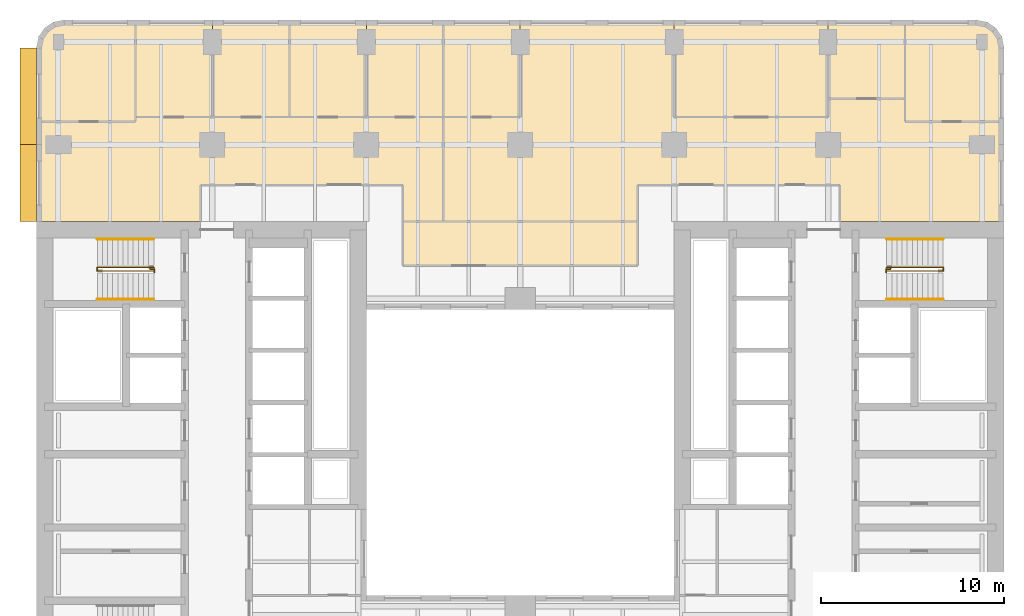
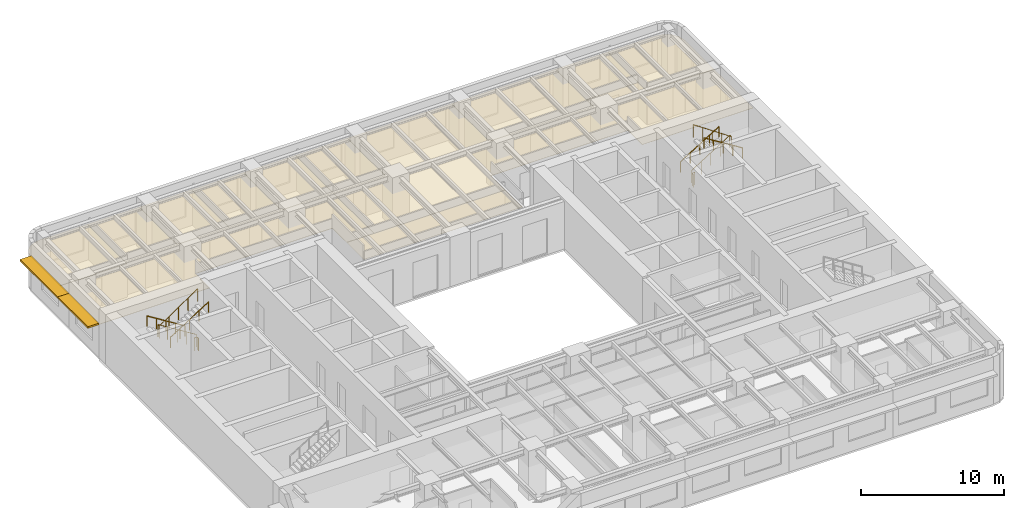
# One storey, part 11 of 11: 12 coverings, 8 railings, 2 shading devices.
"""IFC4 building model written with IfcOpenShell, lengths in metres."""

from ifc_helpers import new_model, si_unit, direction, frame, origin, origin_2d, place, context, subcontext, project, spatial, polyline, rectangle, circle, outline, extrude, material, layer, layer_set, type_object, element, save


model = new_model("IFC4")

# Units and contexts
model_context = context("Model", 3, precision=1e-05, world=origin(), true_north=direction((0.0, 1.0)))
body_context = subcontext(model_context, "Body", "Model", "MODEL_VIEW")
ifc_project = project(units=[si_unit("LENGTHUNIT", "METRE"), si_unit("AREAUNIT", "SQUARE_METRE"), si_unit("VOLUMEUNIT", "CUBIC_METRE"), si_unit("PLANEANGLEUNIT", "RADIAN"), si_unit("MASSUNIT", "GRAM", prefix="KILO")], contexts=[model_context])

# Site, building, storey
site_placement = place(None, origin())
site = spatial("IfcSite", under=ifc_project, at=site_placement, CompositionType="ELEMENT")
building_placement = place(site_placement, origin())
building = spatial("IfcBuilding", under=site, at=building_placement, Name="Claustro Exchange Tower", CompositionType="ELEMENT")
storey_placement = place(building_placement, frame((0.0, 0.0, 142.800048828125)))
storey = spatial("IfcBuildingStorey", under=building, at=storey_placement, Name="L32", CompositionType="ELEMENT", Elevation=142.800048828125)

# Coverings
ifc_material_1 = material(Name="Perforated metal ceiling tiles", Category="steel")
ifc_layer_1 = layer(ifc_material_1, 0.030029296875)
ifc_layer_set_1 = layer_set([ifc_layer_1], Name="Perforated metal ceiling tiles")
covering_type_1 = type_object("IfcCoveringType", Name="CL1 suspended metal ceiling", PredefinedType="CEILING", material=ifc_layer_set_1)
covering_1_placement = place(storey_placement, frame((0.0, 0.0, 2.800048828125)))
element("IfcCovering", 1, at=covering_1_placement, inside=storey, type_object=covering_type_1, Name="Ceiling CL1 L32-17", PredefinedType="CEILING", context=body_context, shape_type="SweptSolid", body=[
    extrude(outline(polyline([(-1.199951171875, 43.25), (-1.199951171875, 37.800048828125), (7.75, 37.800048828125), (7.75, 39.800048828125), (16.800048828125, 39.800048828125), (18.800048828125, 39.800048828125), (18.800048828125, 37.800048828125), (21.0, 37.800048828125), (21.0, 43.5), (16.800048828125, 43.5), (12.60009765625, 43.5), (8.39990234375, 43.5), (4.199951171875, 43.5), (4.199951171875, 43.25), (-1.199951171875, 43.25)])), origin(), (0.0, 0.0, 1.0), 0.02978515625),
])
ifc_material_2 = material(Name="Gypsum board ceiling", Category="gypsum board")
ifc_layer_2 = layer(ifc_material_2, 0.02490234375)
ifc_layer_set_2 = layer_set([ifc_layer_2], Name="Gypsum board ceiling")
covering_type_2 = type_object("IfcCoveringType", Name="CL2 plasterboard ceiling", PredefinedType="CEILING", material=ifc_layer_set_2)
covering_2_placement = place(storey_placement, frame((0.0, 0.0, 2.800048828125)))
element("IfcCovering", 2, at=covering_2_placement, inside=storey, type_object=covering_type_2, Name="Ceiling CL2 L32-16", PredefinedType="CEILING", context=body_context, shape_type="SweptSolid", body=[
    extrude(outline(polyline([(18.800048828125, 35.39990234375), (31.60009765625, 35.39990234375), (31.60009765625, 37.800048828125), (18.800048828125, 37.800048828125), (18.800048828125, 35.39990234375)])), origin(), (0.0, 0.0, 1.0), 0.02490234375),
])
covering_3_placement = place(storey_placement, frame((0.0, 0.0, 2.800048828125)))
element("IfcCovering", 3, at=covering_3_placement, inside=storey, type_object=covering_type_2, Name="Ceiling CL2 L32-18", PredefinedType="CEILING", context=body_context, shape_type="SweptSolid", body=[
    extrude(outline(polyline([(33.60009765625, 48.800048828125), (25.199951171875, 48.800048828125), (25.199951171875, 43.5), (21.0, 43.5), (21.0, 37.800048828125), (31.60009765625, 37.800048828125), (31.60009765625, 39.800048828125), (42.64990234375, 39.800048828125), (42.64990234375, 37.800048828125), (51.60009765625, 37.800048828125), (51.60009765625, 43.25), (46.199951171875, 43.25), (46.199951171875, 44.5), (42.0, 44.5), (42.0, 43.5), (33.60009765625, 43.5), (33.60009765625, 48.800048828125)])), origin(), (0.0, 0.0, 1.0), 0.02490234375),
])
covering_4_placement = place(storey_placement, frame((0.0, 0.0, 2.800048828125)))
element("IfcCovering", 4, at=covering_4_placement, inside=storey, type_object=covering_type_2, Name="Ceiling CL2 L32-19", PredefinedType="CEILING", context=body_context, shape_type="SweptSolid", body=[
    extrude(outline(polyline([(-1.199951171875, 47.300048828125), (-1.199951171875, 43.25), (4.199951171875, 43.25), (4.199951171875, 48.800048828125), (0.300048828125, 48.800048828125), (-0.27392578125, 48.685791015625), (-0.7607421875, 48.360595703125), (-1.085693359375, 47.8740234375), (-1.199951171875, 47.300048828125)])), origin(), (0.0, 0.0, 1.0), 0.02490234375),
])
covering_5_placement = place(storey_placement, frame((0.0, 0.0, 2.800048828125)))
element("IfcCovering", 5, at=covering_5_placement, inside=storey, type_object=covering_type_2, Name="Ceiling CL2 L32-20", PredefinedType="CEILING", context=body_context, shape_type="SweptSolid", body=[
    extrude(outline(polyline([(50.10009765625, 48.800048828125), (46.199951171875, 48.800048828125), (46.199951171875, 43.25), (51.60009765625, 43.25), (51.60009765625, 47.300048828125), (51.48583984375, 47.8740234375), (51.16064453125, 48.360595703125), (50.674072265625, 48.685791015625), (50.10009765625, 48.800048828125)])), origin(), (0.0, 0.0, 1.0), 0.02490234375),
])
covering_6_placement = place(storey_placement, frame((0.0, 0.0, 2.800048828125)))
element("IfcCovering", 6, at=covering_6_placement, inside=storey, type_object=covering_type_2, Name="Ceiling CL2 L32-21", PredefinedType="CEILING", context=body_context, shape_type="SweptSolid", body=[
    extrude(outline(polyline([(8.39990234375, 48.800048828125), (4.199951171875, 48.800048828125), (4.199951171875, 43.5), (8.39990234375, 43.5), (8.39990234375, 48.800048828125)])), origin(), (0.0, 0.0, 1.0), 0.02490234375),
])
covering_7_placement = place(storey_placement, frame((0.0, 0.0, 2.800048828125)))
element("IfcCovering", 7, at=covering_7_placement, inside=storey, type_object=covering_type_2, Name="Ceiling CL2 L32-22", PredefinedType="CEILING", context=body_context, shape_type="SweptSolid", body=[
    extrude(outline(polyline([(12.60009765625, 48.800048828125), (8.39990234375, 48.800048828125), (8.39990234375, 43.5), (12.60009765625, 43.5), (12.60009765625, 48.800048828125)])), origin(), (0.0, 0.0, 1.0), 0.02490234375),
])
covering_8_placement = place(storey_placement, frame((0.0, 0.0, 2.800048828125)))
element("IfcCovering", 8, at=covering_8_placement, inside=storey, type_object=covering_type_2, Name="Ceiling CL2 L32-23", PredefinedType="CEILING", context=body_context, shape_type="SweptSolid", body=[
    extrude(outline(polyline([(16.800048828125, 48.800048828125), (12.60009765625, 48.800048828125), (12.60009765625, 43.5), (16.800048828125, 43.5), (16.800048828125, 48.800048828125)])), origin(), (0.0, 0.0, 1.0), 0.02490234375),
])
covering_9_placement = place(storey_placement, frame((0.0, 0.0, 2.800048828125)))
element("IfcCovering", 9, at=covering_9_placement, inside=storey, type_object=covering_type_2, Name="Ceiling CL2 L32-24", PredefinedType="CEILING", context=body_context, shape_type="SweptSolid", body=[
    extrude(outline(polyline([(21.0, 48.800048828125), (16.800048828125, 48.800048828125), (16.800048828125, 43.5), (21.0, 43.5), (21.0, 48.800048828125)])), origin(), (0.0, 0.0, 1.0), 0.02490234375),
])
covering_10_placement = place(storey_placement, frame((0.0, 0.0, 2.800048828125)))
element("IfcCovering", 10, at=covering_10_placement, inside=storey, type_object=covering_type_2, Name="Ceiling CL2 L32-25", PredefinedType="CEILING", context=body_context, shape_type="SweptSolid", body=[
    extrude(outline(polyline([(25.199951171875, 48.800048828125), (21.0, 48.800048828125), (21.0, 43.5), (25.199951171875, 43.5), (25.199951171875, 48.800048828125)])), origin(), (0.0, 0.0, 1.0), 0.02490234375),
])
covering_11_placement = place(storey_placement, frame((0.0, 0.0, 2.800048828125)))
element("IfcCovering", 11, at=covering_11_placement, inside=storey, type_object=covering_type_2, Name="Ceiling CL2 L32-26", PredefinedType="CEILING", context=body_context, shape_type="SweptSolid", body=[
    extrude(outline(polyline([(42.0, 48.800048828125), (33.60009765625, 48.800048828125), (33.60009765625, 43.5), (42.0, 43.5), (42.0, 48.800048828125)])), origin(), (0.0, 0.0, 1.0), 0.02490234375),
])
covering_12_placement = place(storey_placement, frame((0.0, 0.0, 2.800048828125)))
element("IfcCovering", 12, at=covering_12_placement, inside=storey, type_object=covering_type_2, Name="Ceiling CL2 L32-27", PredefinedType="CEILING", context=body_context, shape_type="SweptSolid", body=[
    extrude(outline(polyline([(46.199951171875, 48.800048828125), (42.0, 48.800048828125), (42.0, 44.5), (46.199951171875, 44.5), (46.199951171875, 48.800048828125)])), origin(), (0.0, 0.0, 1.0), 0.02490234375),
])

# Railings
ifc_material_3 = material(Name="Steel balustrade, painted", Category="steel")
railing_type_1 = type_object("IfcRailingType", Name="GR2 1100 steel stair guard", PredefinedType="GUARDRAIL", material=ifc_material_3)
railing_1_placement = place(storey_placement, frame((5.199951171875, 35.300048828125, 0.175048828125)))
element("IfcRailing", 13, at=railing_1_placement, inside=storey, type_object=railing_type_1, Name="Stair well guard GR2 stair STWB L32", PredefinedType="GUARDRAIL", context=body_context, shape_type="SweptSolid", body=[
    extrude(circle(Radius=0.02392578125, at=origin_2d()), frame((0.0, 0.0, 1.076171875), z_axis=(-0.848009633417, 0.0, 0.529980812513), x_axis=(0.0, -1.0, 0.0)), (0.0, 0.0, 1.0), 3.6318359375),
    extrude(circle(Radius=0.02392578125, at=origin_2d()), frame((-3.079833984375, 0.0, 3.0009765625), z_axis=(0.0, -1.0, 0.0), x_axis=(1.0, 0.0, 0.0)), (0.0, 0.0, 1.0), 0.199951171875),
    extrude(circle(Radius=0.02392578125, at=origin_2d()), frame((-3.079833984375, -0.199951171875, 3.0009765625), z_axis=(0.826201015165, 0.0, 0.563375436579), x_axis=(0.0, 1.0, 0.0)), (0.0, 0.0, 1.0), 3.727783203125),
    extrude(circle(Radius=0.02099609375, at=origin_2d()), origin(), (0.0, 0.0, 1.0), 1.052001953125),
    extrude(circle(Radius=0.02099609375, at=origin_2d()), frame((-0.77001953125, 0.0, 0.481201171875)), (0.0, 0.0, 1.0), 1.052001953125),
    extrude(circle(Radius=0.02099609375, at=origin_2d()), frame((-1.5400390625, 0.0, 0.96240234375)), (0.0, 0.0, 1.0), 1.052001953125),
    extrude(circle(Radius=0.02099609375, at=origin_2d()), frame((-2.309814453125, 0.0, 1.443603515625)), (0.0, 0.0, 1.0), 1.052001953125),
    extrude(circle(Radius=0.02099609375, at=origin_2d()), frame((-3.079833984375, 0.0, 1.9248046875)), (0.0, 0.0, 1.0), 1.052001953125),
    extrude(circle(Radius=0.02099609375, at=origin_2d()), frame((-3.079833984375, -0.199951171875, 1.9248046875)), (0.0, 0.0, 1.0), 1.052001953125),
    extrude(circle(Radius=0.02099609375, at=origin_2d()), frame((-2.309814453125, -0.199951171875, 2.44970703125)), (0.0, 0.0, 1.0), 1.052001953125),
    extrude(circle(Radius=0.02099609375, at=origin_2d()), frame((-1.5400390625, -0.199951171875, 2.974853515625)), (0.0, 0.0, 1.0), 1.052001953125),
    extrude(circle(Radius=0.02099609375, at=origin_2d()), frame((-0.77001953125, -0.199951171875, 3.5)), (0.0, 0.0, 1.0), 1.052001953125),
    extrude(circle(Radius=0.02099609375, at=origin_2d()), frame((0.0, -0.199951171875, 4.02490234375)), (0.0, 0.0, 1.0), 1.052001953125),
])
railing_2_placement = place(storey_placement, frame((5.0, 35.22998046875, 0.0)))
element("IfcRailing", 14, at=railing_2_placement, inside=storey, type_object=railing_type_1, Name="Stair guard GR2 STWB L32", PredefinedType="GUARDRAIL", context=body_context, shape_type="SweptSolid", body=[
    extrude(circle(Radius=0.02392578125, at=origin_2d()), frame((0.0, 0.0, 1.076171875), z_axis=(0.0, -1.0, 0.0), x_axis=(1.0, 0.0, 0.0)), (0.0, 0.0, 1.0), 0.030029296875),
    extrude(circle(Radius=0.02392578125, at=origin_2d()), frame((0.0, -0.030029296875, 1.076171875), z_axis=(1.0, 0.0, 0.0), x_axis=(0.0, 1.0, 0.0)), (0.0, 0.0, 1.0), 0.22509765625),
    extrude(circle(Radius=0.02392578125, at=origin_2d()), frame((0.22509765625, -0.030029296875, 1.076171875), z_axis=(0.0, -1.0, 0.0), x_axis=(1.0, 0.0, 0.0)), (0.0, 0.0, 1.0), 0.179931640625),
    extrude(circle(Radius=0.02099609375, at=origin_2d()), origin(), (0.0, 0.0, 1.0), 1.052001953125),
    extrude(circle(Radius=0.02099609375, at=origin_2d()), frame((0.0, -0.030029296875, 0.0)), (0.0, 0.0, 1.0), 1.052001953125),
    extrude(circle(Radius=0.02099609375, at=origin_2d()), frame((0.22509765625, -0.030029296875, 0.0)), (0.0, 0.0, 1.0), 1.052001953125),
    extrude(circle(Radius=0.02099609375, at=origin_2d()), frame((0.22509765625, -0.2099609375, 0.0)), (0.0, 0.0, 1.0), 1.052001953125),
])
railing_3_placement = place(storey_placement, frame((45.199951171875, 35.300048828125, 0.175048828125)))
element("IfcRailing", 15, at=railing_3_placement, inside=storey, type_object=railing_type_1, Name="Stair well guard GR2 stair STEB L32", PredefinedType="GUARDRAIL", context=body_context, shape_type="SweptSolid", body=[
    extrude(circle(Radius=0.02392578125, at=origin_2d()), frame((0.0, 0.0, 1.076171875), z_axis=(0.848028513186, 0.0, 0.529950602248), x_axis=(0.0, 1.0, 0.0)), (0.0, 0.0, 1.0), 3.632080078125),
    extrude(circle(Radius=0.02392578125, at=origin_2d()), frame((3.080078125, 0.0, 3.0009765625), z_axis=(0.0, -1.0, 0.0), x_axis=(1.0, 0.0, 0.0)), (0.0, 0.0, 1.0), 0.199951171875),
    extrude(circle(Radius=0.02392578125, at=origin_2d()), frame((3.080078125, -0.199951171875, 3.0009765625), z_axis=(-0.826221800596, 0.0, 0.563344953133), x_axis=(0.0, -1.0, 0.0)), (0.0, 0.0, 1.0), 3.72802734375),
    extrude(circle(Radius=0.02099609375, at=origin_2d()), origin(), (0.0, 0.0, 1.0), 1.052001953125),
    extrude(circle(Radius=0.02099609375, at=origin_2d()), frame((0.77001953125, 0.0, 0.481201171875)), (0.0, 0.0, 1.0), 1.052001953125),
    extrude(circle(Radius=0.02099609375, at=origin_2d()), frame((1.5400390625, 0.0, 0.96240234375)), (0.0, 0.0, 1.0), 1.052001953125),
    extrude(circle(Radius=0.02099609375, at=origin_2d()), frame((2.31005859375, 0.0, 1.443603515625)), (0.0, 0.0, 1.0), 1.052001953125),
    extrude(circle(Radius=0.02099609375, at=origin_2d()), frame((3.080078125, 0.0, 1.9248046875)), (0.0, 0.0, 1.0), 1.052001953125),
    extrude(circle(Radius=0.02099609375, at=origin_2d()), frame((3.080078125, -0.199951171875, 1.9248046875)), (0.0, 0.0, 1.0), 1.052001953125),
    extrude(circle(Radius=0.02099609375, at=origin_2d()), frame((2.31005859375, -0.199951171875, 2.44970703125)), (0.0, 0.0, 1.0), 1.052001953125),
    extrude(circle(Radius=0.02099609375, at=origin_2d()), frame((1.5400390625, -0.199951171875, 2.974853515625)), (0.0, 0.0, 1.0), 1.052001953125),
    extrude(circle(Radius=0.02099609375, at=origin_2d()), frame((0.77001953125, -0.199951171875, 3.5)), (0.0, 0.0, 1.0), 1.052001953125),
    extrude(circle(Radius=0.02099609375, at=origin_2d()), frame((0.0, -0.199951171875, 4.02490234375)), (0.0, 0.0, 1.0), 1.052001953125),
])
railing_4_placement = place(storey_placement, frame((45.39990234375, 35.22998046875, 0.0)))
element("IfcRailing", 16, at=railing_4_placement, inside=storey, type_object=railing_type_1, Name="Stair guard GR2 STEB L32", PredefinedType="GUARDRAIL", context=body_context, shape_type="SweptSolid", body=[
    extrude(circle(Radius=0.02392578125, at=origin_2d()), frame((0.0, 0.0, 1.076171875), z_axis=(0.0, -1.0, 0.0), x_axis=(1.0, 0.0, 0.0)), (0.0, 0.0, 1.0), 0.030029296875),
    extrude(circle(Radius=0.02392578125, at=origin_2d()), frame((0.0, -0.030029296875, 1.076171875), z_axis=(-1.0, 0.0, 0.0), x_axis=(0.0, -1.0, 0.0)), (0.0, 0.0, 1.0), 0.224853515625),
    extrude(circle(Radius=0.02392578125, at=origin_2d()), frame((-0.224853515625, -0.030029296875, 1.076171875), z_axis=(0.0, -1.0, 0.0), x_axis=(1.0, 0.0, 0.0)), (0.0, 0.0, 1.0), 0.179931640625),
    extrude(circle(Radius=0.02099609375, at=origin_2d()), origin(), (0.0, 0.0, 1.0), 1.052001953125),
    extrude(circle(Radius=0.02099609375, at=origin_2d()), frame((0.0, -0.030029296875, 0.0)), (0.0, 0.0, 1.0), 1.052001953125),
    extrude(circle(Radius=0.02099609375, at=origin_2d()), frame((-0.224853515625, -0.030029296875, 0.0)), (0.0, 0.0, 1.0), 1.052001953125),
    extrude(circle(Radius=0.02099609375, at=origin_2d()), frame((-0.224853515625, -0.2099609375, 0.0)), (0.0, 0.0, 1.0), 1.052001953125),
])
ifc_material_4 = material(Name="Stainless steel tube", Category="steel")
railing_type_2 = type_object("IfcRailingType", Name="HR1 900 stair handrail", PredefinedType="HANDRAIL", material=ifc_material_4)
railing_5_placement = place(storey_placement, frame((5.199951171875, 36.840087890625, 0.175048828125)))
element("IfcRailing", 17, at=railing_5_placement, inside=storey, type_object=railing_type_2, Name="Handrail HR1 stair STWB L32", PredefinedType="HANDRAIL", context=body_context, shape_type="SweptSolid", body=[
    extrude(circle(Radius=0.02392578125, at=origin_2d()), frame((0.0, 0.0, 0.8759765625), z_axis=(-0.848009633417, 0.0, 0.529980812513), x_axis=(0.0, -1.0, 0.0)), (0.0, 0.0, 1.0), 3.6318359375),
    extrude(circle(Radius=0.02099609375, at=origin_2d()), origin(), (0.0, 0.0, 1.0), 0.851806640625),
    extrude(circle(Radius=0.02099609375, at=origin_2d()), frame((-0.77001953125, 0.0, 0.481201171875)), (0.0, 0.0, 1.0), 0.851806640625),
    extrude(circle(Radius=0.02099609375, at=origin_2d()), frame((-1.5400390625, 0.0, 0.96240234375)), (0.0, 0.0, 1.0), 0.851806640625),
    extrude(circle(Radius=0.02099609375, at=origin_2d()), frame((-2.309814453125, 0.0, 1.443603515625)), (0.0, 0.0, 1.0), 0.851806640625),
    extrude(circle(Radius=0.02099609375, at=origin_2d()), frame((-3.079833984375, 0.0, 1.9248046875)), (0.0, 0.0, 1.0), 0.851806640625),
])
railing_6_placement = place(storey_placement, frame((2.1201171875, 33.56005859375, 2.27490234375)))
element("IfcRailing", 18, at=railing_6_placement, inside=storey, type_object=railing_type_2, Name="Handrail HR1 stair STWB L32", PredefinedType="HANDRAIL", context=body_context, shape_type="SweptSolid", body=[
    extrude(circle(Radius=0.02392578125, at=origin_2d()), frame((0.0, 0.0, 0.8759765625), z_axis=(0.847979421464, 0.0, 0.530029150871), x_axis=(0.0, 1.0, 0.0)), (0.0, 0.0, 1.0), 3.632080078125),
    extrude(circle(Radius=0.02099609375, at=origin_2d()), origin(), (0.0, 0.0, 1.0), 0.851806640625),
    extrude(circle(Radius=0.02099609375, at=origin_2d()), frame((0.77001953125, 0.0, 0.481201171875)), (0.0, 0.0, 1.0), 0.851806640625),
    extrude(circle(Radius=0.02099609375, at=origin_2d()), frame((1.5400390625, 0.0, 0.96240234375)), (0.0, 0.0, 1.0), 0.851806640625),
    extrude(circle(Radius=0.02099609375, at=origin_2d()), frame((2.309814453125, 0.0, 1.44384765625)), (0.0, 0.0, 1.0), 0.851806640625),
    extrude(circle(Radius=0.02099609375, at=origin_2d()), frame((3.079833984375, 0.0, 1.925048828125)), (0.0, 0.0, 1.0), 0.851806640625),
])
railing_7_placement = place(storey_placement, frame((45.199951171875, 36.840087890625, 0.175048828125)))
element("IfcRailing", 19, at=railing_7_placement, inside=storey, type_object=railing_type_2, Name="Handrail HR1 stair STEB L32", PredefinedType="HANDRAIL", context=body_context, shape_type="SweptSolid", body=[
    extrude(circle(Radius=0.02392578125, at=origin_2d()), frame((0.0, 0.0, 0.8759765625), z_axis=(0.848028513186, 0.0, 0.529950602248), x_axis=(0.0, 1.0, 0.0)), (0.0, 0.0, 1.0), 3.632080078125),
    extrude(circle(Radius=0.02099609375, at=origin_2d()), origin(), (0.0, 0.0, 1.0), 0.851806640625),
    extrude(circle(Radius=0.02099609375, at=origin_2d()), frame((0.77001953125, 0.0, 0.481201171875)), (0.0, 0.0, 1.0), 0.851806640625),
    extrude(circle(Radius=0.02099609375, at=origin_2d()), frame((1.5400390625, 0.0, 0.96240234375)), (0.0, 0.0, 1.0), 0.851806640625),
    extrude(circle(Radius=0.02099609375, at=origin_2d()), frame((2.31005859375, 0.0, 1.443603515625)), (0.0, 0.0, 1.0), 0.851806640625),
    extrude(circle(Radius=0.02099609375, at=origin_2d()), frame((3.080078125, 0.0, 1.9248046875)), (0.0, 0.0, 1.0), 0.851806640625),
])
railing_8_placement = place(storey_placement, frame((48.280029296875, 33.56005859375, 2.27490234375)))
element("IfcRailing", 20, at=railing_8_placement, inside=storey, type_object=railing_type_2, Name="Handrail HR1 stair STEB L32", PredefinedType="HANDRAIL", context=body_context, shape_type="SweptSolid", body=[
    extrude(circle(Radius=0.02392578125, at=origin_2d()), frame((0.0, 0.0, 0.8759765625), z_axis=(-0.847998304005, 0.0, 0.529998940003), x_axis=(0.0, -1.0, 0.0)), (0.0, 0.0, 1.0), 3.632080078125),
    extrude(circle(Radius=0.02099609375, at=origin_2d()), origin(), (0.0, 0.0, 1.0), 0.851806640625),
    extrude(circle(Radius=0.02099609375, at=origin_2d()), frame((-0.77001953125, 0.0, 0.481201171875)), (0.0, 0.0, 1.0), 0.851806640625),
    extrude(circle(Radius=0.02099609375, at=origin_2d()), frame((-1.5400390625, 0.0, 0.96240234375)), (0.0, 0.0, 1.0), 0.851806640625),
    extrude(circle(Radius=0.02099609375, at=origin_2d()), frame((-2.31005859375, 0.0, 1.44384765625)), (0.0, 0.0, 1.0), 0.851806640625),
    extrude(circle(Radius=0.02099609375, at=origin_2d()), frame((-3.080078125, 0.0, 1.925048828125)), (0.0, 0.0, 1.0), 0.851806640625),
])

# Shading devices
ifc_material_5 = material(Name="Concrete HA-40 (C40/50), precast, white cement, acid-etched", Category="concrete")
ifc_layer_3 = layer(ifc_material_5, 0.14990234375)
ifc_layer_set_3 = layer_set([ifc_layer_3], Name="Concrete HA-40 (C40/50), precast, white cement, acid-etched")
shading_device_type = type_object("IfcShadingDeviceType", Name="SS2 900 precast concrete SUNSHADE", PredefinedType="SHUTTER", material=ifc_layer_set_3)
shading_device_1_placement = place(storey_placement, frame((-1.64990234375, 39.89990234375, 2.800048828125), z_axis=(0.0, 0.0, 1.0), x_axis=(0.0, 1.0, 0.0)))
element("IfcShadingDevice", 21, at=shading_device_1_placement, inside=storey, type_object=shading_device_type, Name="Precast SUNSHADE SS2 L32", PredefinedType="SHUTTER", context=body_context, shape_type="SweptSolid", body=[
    extrude(rectangle(XDim=4.199951171875, YDim=0.89990234375, at=origin_2d()), origin(), (0.0, 0.0, 1.0), 0.14990234375),
])
shading_device_2_placement = place(storey_placement, frame((-1.64990234375, 44.642578125, 2.800048828125), z_axis=(0.0, 0.0, 1.0), x_axis=(0.0, 1.0, 0.0)))
element("IfcShadingDevice", 22, at=shading_device_2_placement, inside=storey, type_object=shading_device_type, Name="Precast SUNSHADE SS2 L32", PredefinedType="SHUTTER", context=body_context, shape_type="SweptSolid", body=[
    extrude(rectangle(XDim=5.28515625, YDim=0.89990234375, at=origin_2d()), origin(), (0.0, 0.0, 1.0), 0.14990234375),
])

save(model, "model.ifc")
